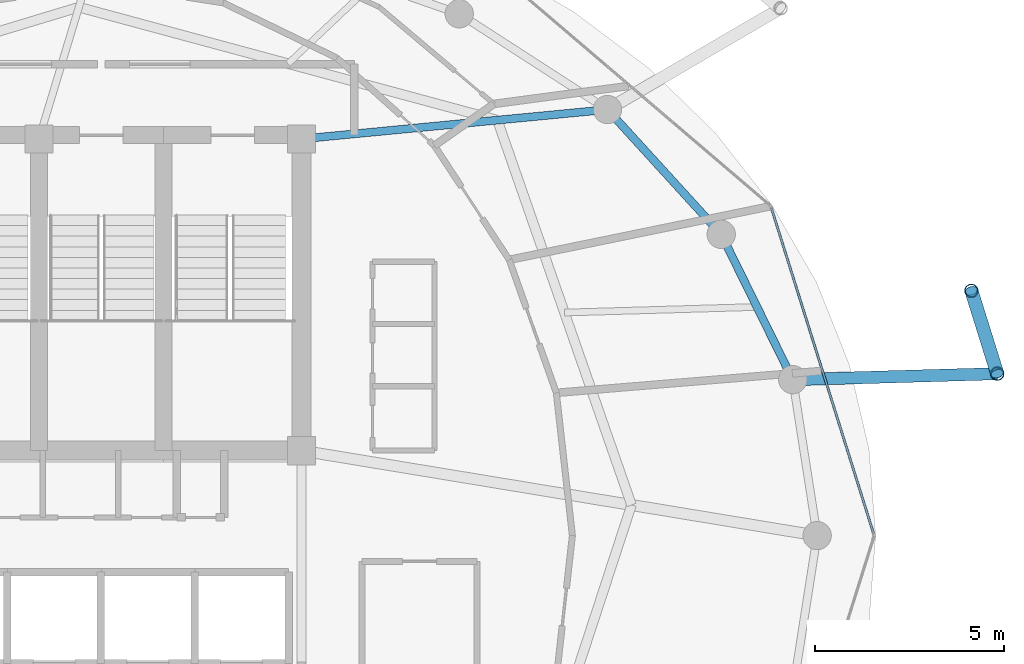
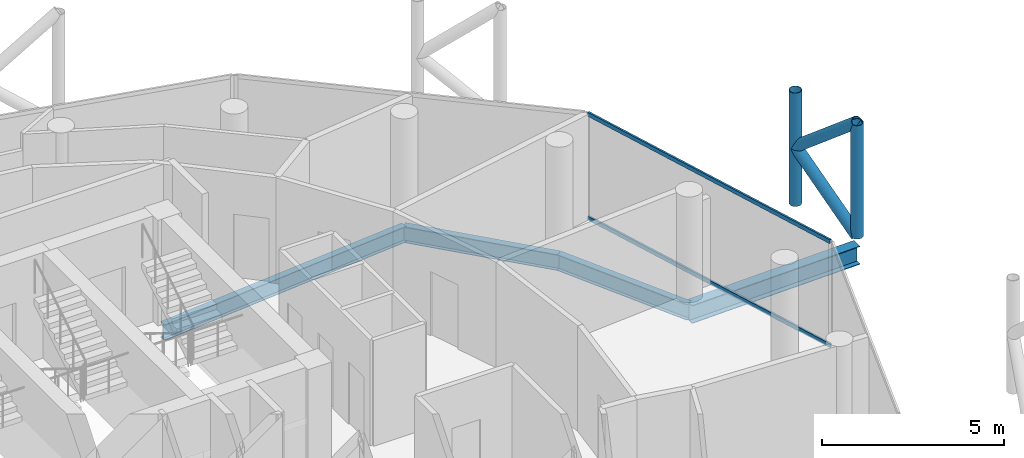
# One storey, part 13 of 24: 6 members, 4 beams, 1 element without a shape of its own.
"""IFC4 building model written with IfcOpenShell, lengths in metres."""

from ifc_helpers import new_model, si_unit, direction, frame, origin, origin_2d, place, context, subcontext, project, spatial, hollow_rectangle, hollow_circle, i_section, extrude, material, layer, layer_set, material_profile, profile_set, type_object, element, aggregate, save


model = new_model("IFC4")

# Units and contexts
model_context = context("Model", 3, precision=1e-05, world=origin(), true_north=direction((0.0, 1.0)))
body_context = subcontext(model_context, "Body", "Model", "MODEL_VIEW")
ifc_project = project(units=[si_unit("LENGTHUNIT", "METRE"), si_unit("AREAUNIT", "SQUARE_METRE"), si_unit("VOLUMEUNIT", "CUBIC_METRE"), si_unit("PLANEANGLEUNIT", "RADIAN"), si_unit("MASSUNIT", "GRAM", prefix="KILO")], contexts=[model_context])

# Site, building, storey
site_placement = place(None, origin())
site = spatial("IfcSite", under=ifc_project, at=site_placement, CompositionType="ELEMENT")
building_placement = place(site_placement, origin())
building = spatial("IfcBuilding", under=site, at=building_placement, Name="Nuhasar Tower", CompositionType="ELEMENT")
storey_placement = place(building_placement, frame((0.0, 0.0, 259.39990234375)))
storey = spatial("IfcBuildingStorey", under=building, at=storey_placement, Name="L64", CompositionType="ELEMENT", Elevation=259.39990234375)

# Beams
ifc_material_1 = material(Name="Steel S355", Category="steel")
ifc_material_profile_1 = material_profile(ifc_material_1, i_section(OverallWidth=0.208984375, OverallDepth=0.528076171875, WebThickness=0.009521484375, FlangeThickness=0.01318359375, at=origin_2d()), Name="W21X55")
ifc_profile_set_1 = profile_set([ifc_material_profile_1], Name="Steel S355")
beam_type_1 = type_object("IfcBeamType", Name="BM-RAD-W21X55", PredefinedType="BEAM", material=ifc_profile_set_1)
beam_1_placement = place(storey_placement, frame((44.300048828125, 37.300048828125, -0.52392578125), z_axis=(0.99542073054, 0.095590633496, 0.0), x_axis=(-0.095590633496, 0.99542073054, 0.0)))
element("IfcBeam", 1, at=beam_1_placement, inside=storey, type_object=beam_type_1, Name="L64 Radial Floor Girder 05", PredefinedType="BEAM", context=body_context, shape_type="SweptSolid", body=[
    extrude(i_section(OverallWidth=0.208984375, OverallDepth=0.528076171875, WebThickness=0.009521484375, FlangeThickness=0.01318359375, at=origin_2d()), origin(), (0.0, 0.0, 1.0), 8.13720703125),
])
ifc_material_profile_2 = material_profile(ifc_material_1, i_section(OverallWidth=0.2099609375, OverallDepth=0.537109375, WebThickness=0.010986328125, FlangeThickness=0.017333984375, at=origin_2d()), Name="W21X68")
ifc_profile_set_2 = profile_set([ifc_material_profile_2], Name="Steel S355")
beam_type_2 = type_object("IfcBeamType", Name="BM-RING-W21X68", PredefinedType="SPANDREL", material=ifc_profile_set_2)
beam_2_placement = place(storey_placement, frame((57.303955078125, 30.927978515625, -0.52880859375), z_axis=(-0.441533119295, 0.897244952377, 0.0), x_axis=(-0.897244952377, -0.441533119295, 0.0)))
element("IfcBeam", 2, at=beam_2_placement, inside=storey, type_object=beam_type_2, Name="L64 Perimeter Ring Spandrel 02", PredefinedType="SPANDREL", context=body_context, shape_type="SweptSolid", body=[
    extrude(i_section(OverallWidth=0.2099609375, OverallDepth=0.537109375, WebThickness=0.010986328125, FlangeThickness=0.017333984375, at=origin_2d()), origin(), (0.0, 0.0, 1.0), 4.28759765625),
])
beam_3_placement = place(storey_placement, frame((55.410888671875, 34.77490234375, -0.52880859375), z_axis=(-0.673686302939, 0.739017432293, 0.0), x_axis=(-0.739017432293, -0.673686302939, 0.0)))
element("IfcBeam", 3, at=beam_3_placement, inside=storey, type_object=beam_type_2, Name="L64 Perimeter Ring Spandrel 03", PredefinedType="SPANDREL", context=body_context, shape_type="SweptSolid", body=[
    extrude(i_section(OverallWidth=0.2099609375, OverallDepth=0.537109375, WebThickness=0.010986328125, FlangeThickness=0.017333984375, at=origin_2d()), origin(), (0.0, 0.0, 1.0), 4.469482421875),
])
ifc_material_profile_3 = material_profile(ifc_material_1, i_section(OverallWidth=0.323974609375, OverallDepth=0.611083984375, WebThickness=0.0126953125, FlangeThickness=0.01904296875, at=origin_2d()), Name="W24X104")
ifc_profile_set_3 = profile_set([ifc_material_profile_3], Name="Steel S355")
beam_type_3 = type_object("IfcBeamType", Name="BM-TIE-W24X104", PredefinedType="BEAM", material=ifc_profile_set_3)
beam_4_placement = place(storey_placement, frame((57.303955078125, 30.927978515625, -0.56591796875), z_axis=(0.999574661214, 0.029163275875, 0.0), x_axis=(-0.029163275875, 0.999574661214, 0.0)))
element("IfcBeam", 4, at=beam_4_placement, inside=storey, type_object=beam_type_3, Name="L64 Exoskeleton Node Tie Beam 01", PredefinedType="BEAM", context=body_context, shape_type="SweptSolid", body=[
    extrude(i_section(OverallWidth=0.323974609375, OverallDepth=0.611083984375, WebThickness=0.0126953125, FlangeThickness=0.01904296875, at=origin_2d()), origin(), (0.0, 0.0, 1.0), 5.416259765625),
])

# Curtain wall, members
ifc_material_2 = material(Name="Aluminium 6063-T6", Category="aluminium")
ifc_layer = layer(ifc_material_2, 0.18994140625)
ifc_layer_set = layer_set([ifc_layer], Name="Aluminium 6063-T6")
curtain_wall_type = type_object("IfcCurtainWallType", Name="CW-Z4-PEN", PredefinedType="NOTDEFINED", material=ifc_layer_set)
curtain_wall_placement = place(storey_placement, origin())
curtain_wall = element("IfcCurtainWall", 5, at=curtain_wall_placement, inside=storey, type_object=curtain_wall_type, Name="L64 Unitised Curtain Wall 01", PredefinedType="NOTDEFINED")
ifc_material_profile_4 = material_profile(ifc_material_2, hollow_rectangle(XDim=0.06005859375, YDim=0.135009765625, WallThickness=0.00439453125, at=origin_2d()), Name="CWT-5")
ifc_profile_set_4 = profile_set([ifc_material_profile_4], Name="Aluminium 6063-T6")
member_type_1 = type_object("IfcMemberType", Name="CW-TRN-S5", PredefinedType="USERDEFINED", material=ifc_profile_set_4)
member_1_placement = place(storey_placement, frame((59.442138671875, 26.857177734375, 0.030029296875), z_axis=(-0.29956014073, 0.954077419335, 0.0), x_axis=(-0.954077419335, -0.29956014073, 0.0)))
member_1 = element("IfcMember", 6, at=member_1_placement, type_object=member_type_1, Name="CW-Z4 transom 1.1", ObjectType="TRANSOM", PredefinedType="USERDEFINED", context=body_context, shape_type="SweptSolid", body=[
    extrude(hollow_rectangle(XDim=0.06005859375, YDim=0.135009765625, WallThickness=0.00439453125, at=origin_2d()), origin(), (0.0, 0.0, 1.0), 9.0302734375),
])
member_2_placement = place(storey_placement, frame((59.442138671875, 26.857177734375, 3.510009765625), z_axis=(-0.29956014073, 0.954077419335, 0.0), x_axis=(-0.954077419335, -0.29956014073, 0.0)))
member_2 = element("IfcMember", 7, at=member_2_placement, type_object=member_type_1, Name="CW-Z4 transom 1.2", ObjectType="TRANSOM", PredefinedType="USERDEFINED", context=body_context, shape_type="SweptSolid", body=[
    extrude(hollow_rectangle(XDim=0.06005859375, YDim=0.135009765625, WallThickness=0.00439453125, at=origin_2d()), origin(), (0.0, 0.0, 1.0), 9.0302734375),
])
aggregate(curtain_wall, [member_1, member_2])

# Members
ifc_material_3 = material(Name="Steel S460", Category="steel")
ifc_material_profile_5 = material_profile(ifc_material_3, hollow_circle(Radius=0.177734375, WallThickness=0.015869140625, at=origin_2d()), Name="HSS355.6X15.9")
ifc_profile_set_5 = profile_set([ifc_material_profile_5], Name="Steel S460")
member_type_2 = type_object("IfcMemberType", Name="EXO-BRONZE-356", PredefinedType="BRACE", material=ifc_profile_set_5)
for number, where, z_axis, x_axis, name in (
    (8, (62.718017578125, 31.0859375, 0.0), (0.0, 0.0, 1.0), (1.0, 0.0, 0.0), "L64 Exoskeleton Chord Column EC-01A"),
    (9, (62.032958984375, 33.281005859375, 0.0), (0.0, 0.0, 1.0), (1.0, 0.0, 0.0), "L64 Exoskeleton Chord Column EC-01B"),
):
    element("IfcMember", number, at=place(storey_placement, frame(where, z_axis=z_axis, x_axis=x_axis)), inside=storey, type_object=member_type_2, Name=name, PredefinedType="BRACE", context=body_context, shape_type="SweptSolid", body=[
        extrude(hollow_circle(Radius=0.177734375, WallThickness=0.015869140625, at=origin_2d()), origin(), (0.0, 0.0, 1.0), 3.800048828125),
    ])
for number, where, z_axis, x_axis, name in (
    (10, (62.718017578125, 31.0859375, 0.0), (-0.22965555433, 0.735863538482, 0.636995430987), (-0.954591372974, -0.297918295247, 0.0), "L64 Bronze Diagrid Brace W1-01"),
    (11, (62.032958984375, 33.281005859375, 1.900146484375), (0.229667527485, -0.735901902929, 0.636946792192), (0.954591372974, 0.297918295247, 0.0), "L64 Bronze Diagrid Brace W2-01"),
):
    element("IfcMember", number, at=place(storey_placement, frame(where, z_axis=z_axis, x_axis=x_axis)), inside=storey, type_object=member_type_2, Name=name, PredefinedType="BRACE", context=body_context, shape_type="SweptSolid", body=[
        extrude(hollow_circle(Radius=0.177734375, WallThickness=0.015869140625, at=origin_2d()), origin(), (0.0, 0.0, 1.0), 2.98291015625),
    ])

save(model, "model.ifc")
